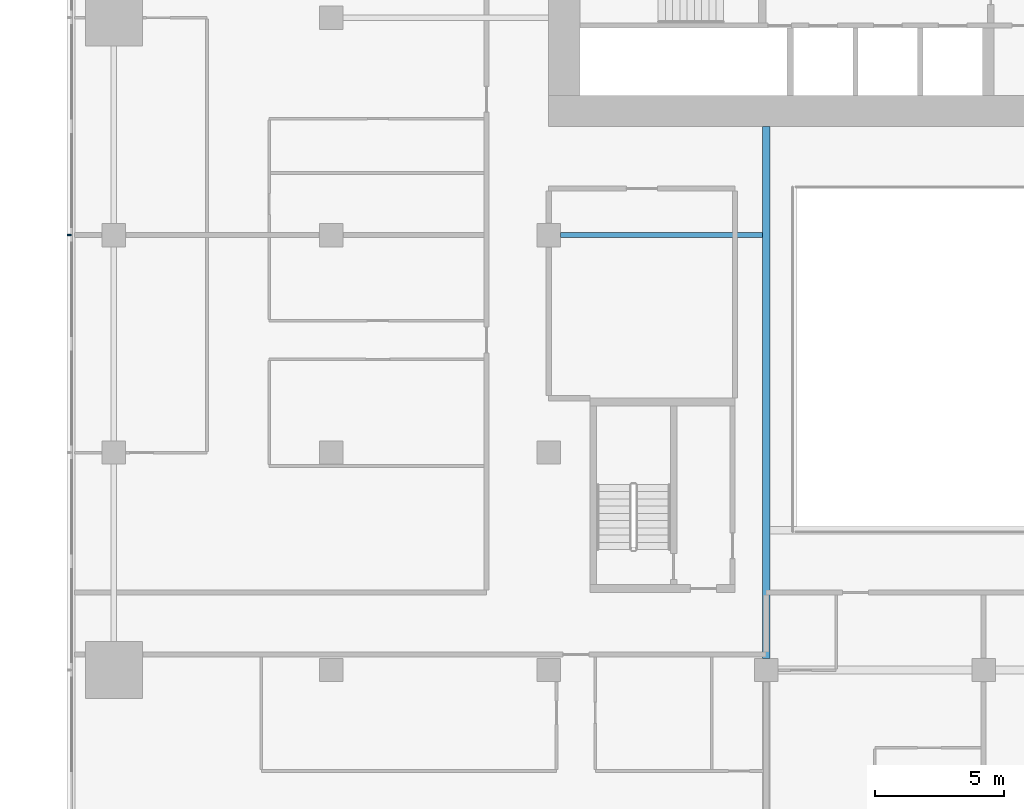
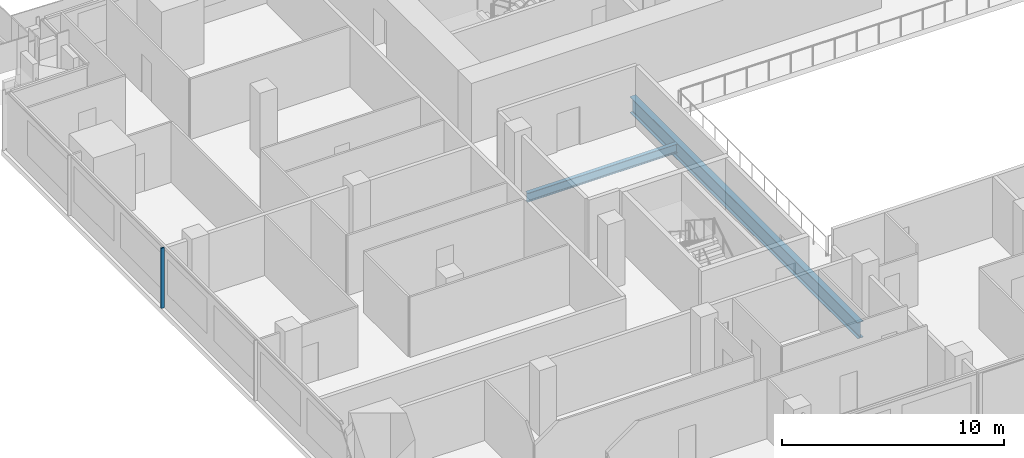
# One storey, part 6 of 30: 2 beams, 1 member, 1 element without a shape of its own.
"""IFC4 building model written with IfcOpenShell, lengths in metres."""

import ifcopenshell
import ifcopenshell.guid

model = None  # the IFC model being written
_history = None  # IfcOwnerHistory: only IFC2X3 demands one
_inside = {}  # id of a spatial element -> (the spatial element, [elements in it])
_under = {}  # id of a project, library or spatial element -> (it, [spatial elements below it])
_declared = {}  # id of a project -> (the project, [libraries it declares])
_typed = {}  # id of a type object -> (the type object, [elements of that type])
_made_of = {}  # id of a material, layer set ... -> (it, [elements and type objects made of it])


def new_model(schema):
    """Start an empty IFC model of exactly this schema.

    Asked for "IFC4X3", IfcOpenShell would pick the latest addendum, in which some entities
    have other attributes; the version numbers below select the first issue.
    IFC2X3 requires an IfcOwnerHistory on every rooted entity: one is made here for all.
    """
    global model, _history
    if schema == "IFC4X3":
        model = ifcopenshell.file(schema_version=(4, 3, 0, 0))
    else:
        model = ifcopenshell.file(schema=schema)
    _inside.clear()
    _under.clear()
    _declared.clear()
    _typed.clear()
    _made_of.clear()
    _history = None
    if model.schema == "IFC2X3":
        org = make("IfcOrganization", Name="unknown")
        user = make(
            "IfcPersonAndOrganization",
            ThePerson=make("IfcPerson", FamilyName="unknown"),
            TheOrganization=org,
        )
        app = make(
            "IfcApplication",
            ApplicationDeveloper=org,
            Version="unknown",
            ApplicationFullName="unknown",
            ApplicationIdentifier="unknown",
        )
        _history = make(
            "IfcOwnerHistory",
            OwningUser=user,
            OwningApplication=app,
            ChangeAction="ADDED",
            CreationDate=0,
        )
    return model


def make(cls, **values):
    """One entity of the class cls with the attributes given. An attribute that is None is left unset."""
    return model.create_entity(
        cls, **{name: value for name, value in values.items() if value is not None}
    )


def rooted(cls, **values):
    """An entity with a GlobalId (a new one), such as an element, a storey or a relation."""
    return make(cls, GlobalId=ifcopenshell.guid.new(), OwnerHistory=_history, **values)


def si_unit(unit_type, name, prefix=None):
    """IfcSIUnit, for example si_unit("LENGTHUNIT", "METRE", prefix="MILLI")."""
    return make("IfcSIUnit", UnitType=unit_type, Prefix=prefix, Name=name)


def assignment(units):
    """IfcUnitAssignment: the units of a project."""
    return None if units is None else make("IfcUnitAssignment", Units=units)


def point(xyz):
    """IfcCartesianPoint."""
    return None if xyz is None else make("IfcCartesianPoint", Coordinates=xyz)


def direction(xyz):
    """IfcDirection."""
    return None if xyz is None else make("IfcDirection", DirectionRatios=xyz)


def frame(location, z_axis=None, x_axis=None):
    """IfcAxis2Placement3D, a coordinate frame: its origin and axes. An axis left out is left unset."""
    return make(
        "IfcAxis2Placement3D",
        Location=point(location),
        Axis=direction(z_axis),
        RefDirection=direction(x_axis),
    )


def frame_2d(location, x_axis=None):
    """IfcAxis2Placement2D, a coordinate frame in the plane: its origin and x axis."""
    return make(
        "IfcAxis2Placement2D", Location=point(location), RefDirection=direction(x_axis)
    )


def origin():
    """The frame at (0, 0, 0) with its axes left unset."""
    return frame((0.0, 0.0, 0.0))


def origin_2d():
    """The frame at (0, 0) in the plane with its x axis left unset."""
    return frame_2d((0.0, 0.0))


def place(relative_to, where):
    """IfcLocalPlacement: puts the frame where relative to a parent placement (None: the world)."""
    return make(
        "IfcLocalPlacement", PlacementRelTo=relative_to, RelativePlacement=where
    )


def context(
    kind, dimensions, precision=None, world=None, true_north=None, identifier=None
):
    """IfcGeometricRepresentationContext, for example the 3D "Model" context."""
    return make(
        "IfcGeometricRepresentationContext",
        ContextIdentifier=identifier,
        ContextType=kind,
        CoordinateSpaceDimension=dimensions,
        Precision=precision,
        WorldCoordinateSystem=world,
        TrueNorth=true_north,
    )


def subcontext(parent, identifier, kind, view, scale=None):
    """IfcGeometricRepresentationSubContext, for example "Body" below "Model"."""
    return make(
        "IfcGeometricRepresentationSubContext",
        ContextIdentifier=identifier,
        ContextType=kind,
        ParentContext=parent,
        TargetScale=scale,
        TargetView=view,
    )


def project(units=None, contexts=None):
    """IfcProject with its units and contexts."""
    return rooted(
        "IfcProject",
        Name="project",
        RepresentationContexts=contexts,
        UnitsInContext=assignment(units),
    )


def spatial(cls, under=None, at=None, **own):
    """A site, building, storey or space (cls), placed at a placement, below another one or the project."""
    s = rooted(cls, ObjectPlacement=at, **own)
    if under is not None:
        _under.setdefault(under.id(), (under, []))[1].append(s)
    return s


def profile(cls, at=None, kind="AREA", **sizes):
    """A parametric profile (cls). Its sizes go by their IFC names, for example OverallWidth=200.0."""
    return make(cls, ProfileType=kind, Position=at, **sizes)


def rectangle(**sizes):
    """IfcRectangleProfileDef."""
    return profile("IfcRectangleProfileDef", **sizes)


def i_section(**sizes):
    """IfcIShapeProfileDef."""
    return profile("IfcIShapeProfileDef", **sizes)


def extrude(swept, where, along, depth):
    """IfcExtrudedAreaSolid: the profile swept, set in the frame where, extruded along a direction by depth."""
    return make(
        "IfcExtrudedAreaSolid",
        SweptArea=swept,
        Position=where,
        ExtrudedDirection=direction(along),
        Depth=depth,
    )


def shape(context_of_items, identifier, shape_type, items):
    """IfcShapeRepresentation: the items that make up one representation, for example the "Body"."""
    return make(
        "IfcShapeRepresentation",
        ContextOfItems=context_of_items,
        RepresentationIdentifier=identifier,
        RepresentationType=shape_type,
        Items=items,
    )


def material(Name=None, Category=None):
    """IfcMaterial."""
    return make("IfcMaterial", Name=Name, Category=Category)


def material_profile(
    of_material, cross_section, Name=None, Category=None, Priority=None
):
    """IfcMaterialProfile: a cross section and its material."""
    return make(
        "IfcMaterialProfile",
        Name=Name,
        Material=of_material,
        Profile=cross_section,
        Priority=Priority,
        Category=Category,
    )


def profile_set(profiles, Name=None, composite=None):
    """IfcMaterialProfileSet."""
    return make(
        "IfcMaterialProfileSet",
        Name=Name,
        MaterialProfiles=profiles,
        CompositeProfile=composite,
    )


def made_of(thing, what):
    """Note that an element or type object is made of a material, layer set ...; save() writes the relation."""
    if what is not None:
        _made_of.setdefault(what.id(), (what, []))[1].append(thing)
    return thing


def type_object(cls, material=None, **own):
    """A type object (cls), such as IfcWallType, which elements share."""
    return made_of(rooted(cls, **own), material)


def element(
    cls,
    number,
    at=None,
    inside=None,
    cuts=None,
    type_object=None,
    material=None,
    context=None,
    identifier="Body",
    shape_type=None,
    held_by="IfcProductDefinitionShape",
    body=None,
    shapes=None,
    **own,
):
    """One element of the class cls, such as IfcWall. Its Tag is "e" and its number.

    at: its placement. inside: the storey or other place that contains it. cuts: it is an
    opening in that element (IfcRelVoidsElement). A single representation is given by context,
    identifier, shape_type and body (its items); several are given by shapes. held_by: the class
    of the entity that holds the representations. save() writes the other relations.
    """
    e = rooted(cls, Tag="e%d" % number, ObjectPlacement=at, **own)
    if body is not None:
        shapes = [shape(context, identifier, shape_type, body)]
    if shapes is not None:
        e.Representation = make(held_by, Representations=shapes)
    if inside is not None:
        _inside.setdefault(inside.id(), (inside, []))[1].append(e)
    if cuts is not None:
        rooted(
            "IfcRelVoidsElement", RelatingBuildingElement=cuts, RelatedOpeningElement=e
        )
    if type_object is not None:
        _typed.setdefault(type_object.id(), (type_object, []))[1].append(e)
    return made_of(e, material)


def aggregate(whole, parts):
    """IfcRelAggregates: a whole, such as a stair, and the parts it consists of."""
    return rooted("IfcRelAggregates", RelatingObject=whole, RelatedObjects=parts)


def save(model, path):
    """Write the relations noted so far, then the file.

    IfcRelAggregates (storeys below a building ...), IfcRelContainedInSpatialStructure (elements
    in a storey), IfcRelDefinesByType, IfcRelAssociatesMaterial and IfcRelDeclares: one each for
    every whole, place, type object, material and project.
    """
    for whole, parts in _under.values():
        aggregate(whole, parts)
    for where, things in _inside.values():
        rooted(
            "IfcRelContainedInSpatialStructure",
            RelatedElements=things,
            RelatingStructure=where,
        )
    for kind, things in _typed.values():
        rooted("IfcRelDefinesByType", RelatedObjects=things, RelatingType=kind)
    for what, things in _made_of.values():
        rooted("IfcRelAssociatesMaterial", RelatedObjects=things, RelatingMaterial=what)
    for by, libraries in _declared.values():
        rooted("IfcRelDeclares", RelatingContext=by, RelatedDefinitions=libraries)
    model.write(path)


model = new_model("IFC4")

# Units and contexts
model_context = context("Model", 3, precision=1e-05, world=origin(), true_north=direction((0.0, 1.0)))
body_context = subcontext(model_context, "Body", "Model", "MODEL_VIEW")
ifc_project = project(units=[si_unit("LENGTHUNIT", "METRE"), si_unit("AREAUNIT", "SQUARE_METRE"), si_unit("VOLUMEUNIT", "CUBIC_METRE"), si_unit("PLANEANGLEUNIT", "RADIAN"), si_unit("MASSUNIT", "GRAM", prefix="KILO")], contexts=[model_context])

# Site, building, storey
site_placement = place(None, origin())
site = spatial("IfcSite", under=ifc_project, at=site_placement, CompositionType="ELEMENT")
building_placement = place(site_placement, origin())
building = spatial("IfcBuilding", under=site, at=building_placement, Name="Saffron Gate Tower", CompositionType="ELEMENT")
storey_placement = place(building_placement, frame((0.0, 0.0, 69.60009765625)))
storey = spatial("IfcBuildingStorey", under=building, at=storey_placement, Name="L16", CompositionType="ELEMENT", Elevation=69.60009765625)

# Beams
ifc_material_1 = material(Name="Structural steel S355", Category="steel")
ifc_material_profile_1 = material_profile(ifc_material_1, i_section(OverallWidth=0.199951171875, OverallDepth=0.5, WebThickness=0.01025390625, FlangeThickness=0.01611328125, FilletRadius=0.02099609375, at=origin_2d()))
ifc_profile_set_1 = profile_set([ifc_material_profile_1], Name="Structural steel S355")
beam_type_1 = type_object("IfcBeamType", Name="B10 IPE 500", PredefinedType="BEAM", material=ifc_profile_set_1)
beam_1_placement = place(storey_placement, frame((67.050048828125, 57.0, -0.530029296875), z_axis=(1.0, 0.0, 0.0), x_axis=(0.0, 1.0, 0.0)))
element("IfcBeam", 1, at=beam_1_placement, inside=storey, type_object=beam_type_1, Name="B10 CORE TIE BEAM", PredefinedType="BEAM", context=body_context, shape_type="SweptSolid", body=[
    extrude(i_section(OverallWidth=0.199951171875, OverallDepth=0.5, WebThickness=0.01025390625, FlangeThickness=0.01611328125, FilletRadius=0.02099609375, at=origin_2d()), origin(), (0.0, 0.0, 1.0), 7.800048828125),
])
ifc_material_profile_2 = material_profile(ifc_material_1, i_section(OverallWidth=0.300048828125, OverallDepth=0.889892578125, WebThickness=0.01611328125, FlangeThickness=0.030029296875, FilletRadius=0.030029296875, at=origin_2d()))
ifc_profile_set_2 = profile_set([ifc_material_profile_2], Name="Structural steel S355")
beam_type_2 = type_object("IfcBeamType", Name="B19 HEA 900", PredefinedType="BEAM", material=ifc_profile_set_2)
beam_2_placement = place(storey_placement, frame((75.0, 40.64990234375, -0.72509765625), z_axis=(0.0, 1.0, 0.0), x_axis=(-1.0, 0.0, 0.0)))
element("IfcBeam", 2, at=beam_2_placement, inside=storey, type_object=beam_type_2, Name="B19 ATRIUM GIRDER", PredefinedType="BEAM", context=body_context, shape_type="SweptSolid", body=[
    extrude(i_section(OverallWidth=0.300048828125, OverallDepth=0.889892578125, WebThickness=0.01611328125, FlangeThickness=0.030029296875, FilletRadius=0.030029296875, at=origin_2d()), origin(), (0.0, 0.0, 1.0), 20.550048828125),
])

# Curtain wall, member
ifc_material_2 = material(Name="Aluminium, bronze anodised", Category="aluminium")
curtain_wall_type = type_object("IfcCurtainWallType", Name="CWS2 curtain wall side facades", PredefinedType="NOTDEFINED", material=ifc_material_2)
curtain_wall_placement = place(storey_placement, origin())
curtain_wall = element("IfcCurtainWall", 3, at=curtain_wall_placement, inside=storey, type_object=curtain_wall_type, Name="CWS2 run 10", PredefinedType="NOTDEFINED")
ifc_material_profile_3 = material_profile(ifc_material_2, rectangle(XDim=0.159912109375, YDim=0.06005859375, at=origin_2d()))
ifc_profile_set_3 = profile_set([ifc_material_profile_3], Name="Aluminium, bronze anodised")
member_type = type_object("IfcMemberType", Name="CWS2 mullion 60x160", PredefinedType="MULLION", material=ifc_profile_set_3)
member_placement = place(storey_placement, frame((48.080078125, 57.0, 0.0), z_axis=(0.0, 0.0, 1.0), x_axis=(1.0, 0.0, 0.0)))
member = element("IfcMember", 4, at=member_placement, type_object=member_type, Name="CWS2 mullion 3", PredefinedType="MULLION", context=body_context, shape_type="SweptSolid", body=[
    extrude(rectangle(XDim=0.159912109375, YDim=0.06005859375, at=origin_2d()), origin(), (0.0, 0.0, 1.0), 3.31982421875),
])
aggregate(curtain_wall, [member])

save(model, "model.ifc")
